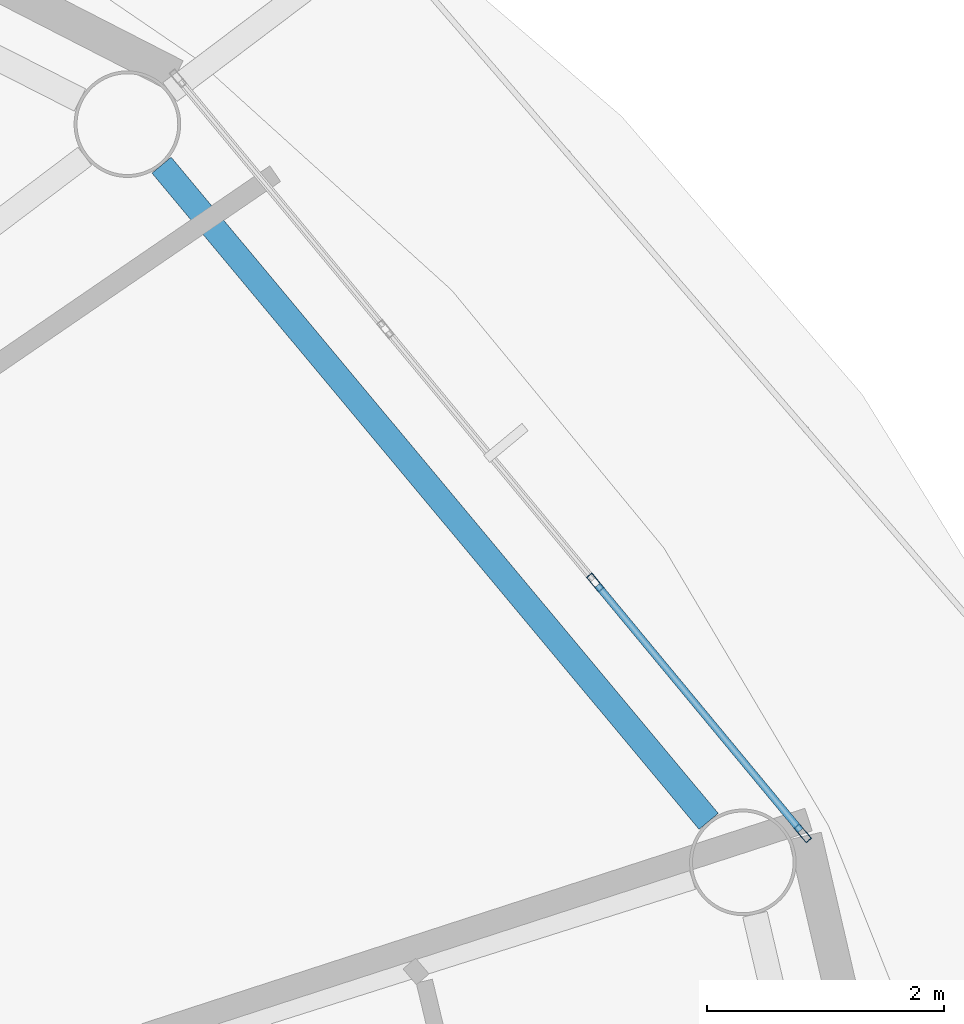
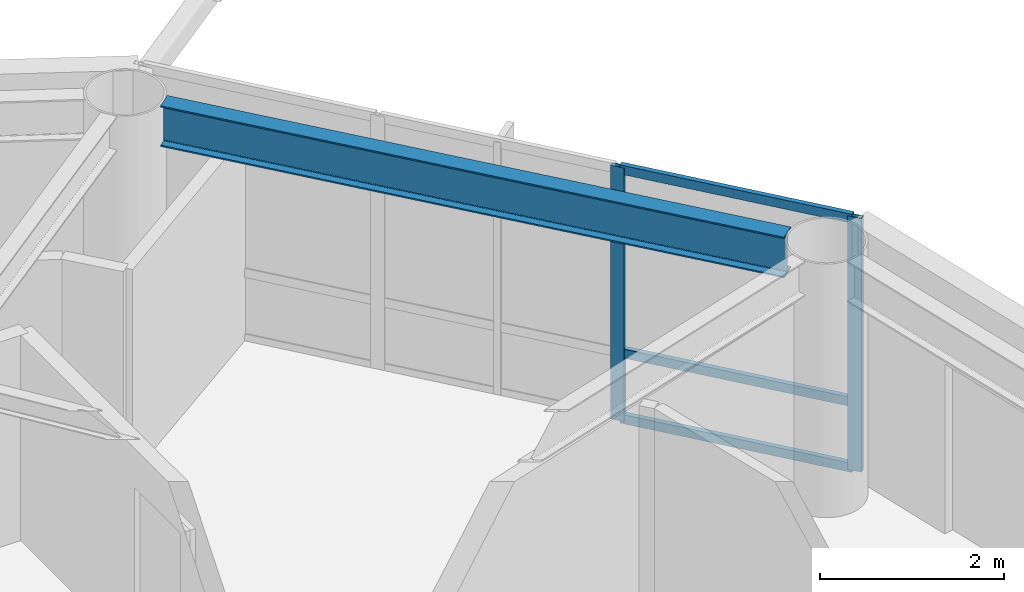
# One storey, part 7 of 23: 5 members, 1 beam, 1 element without a shape of its own.
"""IFC4 building model written with IfcOpenShell, lengths in metres."""

import ifcopenshell
import ifcopenshell.guid

model = None  # the IFC model being written
_history = None  # IfcOwnerHistory: only IFC2X3 demands one
_inside = {}  # id of a spatial element -> (the spatial element, [elements in it])
_under = {}  # id of a project, library or spatial element -> (it, [spatial elements below it])
_declared = {}  # id of a project -> (the project, [libraries it declares])
_typed = {}  # id of a type object -> (the type object, [elements of that type])
_made_of = {}  # id of a material, layer set ... -> (it, [elements and type objects made of it])


def new_model(schema):
    """Start an empty IFC model of exactly this schema.

    Asked for "IFC4X3", IfcOpenShell would pick the latest addendum, in which some entities
    have other attributes; the version numbers below select the first issue.
    IFC2X3 requires an IfcOwnerHistory on every rooted entity: one is made here for all.
    """
    global model, _history
    if schema == "IFC4X3":
        model = ifcopenshell.file(schema_version=(4, 3, 0, 0))
    else:
        model = ifcopenshell.file(schema=schema)
    _inside.clear()
    _under.clear()
    _declared.clear()
    _typed.clear()
    _made_of.clear()
    _history = None
    if model.schema == "IFC2X3":
        org = make("IfcOrganization", Name="unknown")
        user = make(
            "IfcPersonAndOrganization",
            ThePerson=make("IfcPerson", FamilyName="unknown"),
            TheOrganization=org,
        )
        app = make(
            "IfcApplication",
            ApplicationDeveloper=org,
            Version="unknown",
            ApplicationFullName="unknown",
            ApplicationIdentifier="unknown",
        )
        _history = make(
            "IfcOwnerHistory",
            OwningUser=user,
            OwningApplication=app,
            ChangeAction="ADDED",
            CreationDate=0,
        )
    return model


def make(cls, **values):
    """One entity of the class cls with the attributes given. An attribute that is None is left unset."""
    return model.create_entity(
        cls, **{name: value for name, value in values.items() if value is not None}
    )


def rooted(cls, **values):
    """An entity with a GlobalId (a new one), such as an element, a storey or a relation."""
    return make(cls, GlobalId=ifcopenshell.guid.new(), OwnerHistory=_history, **values)


def si_unit(unit_type, name, prefix=None):
    """IfcSIUnit, for example si_unit("LENGTHUNIT", "METRE", prefix="MILLI")."""
    return make("IfcSIUnit", UnitType=unit_type, Prefix=prefix, Name=name)


def assignment(units):
    """IfcUnitAssignment: the units of a project."""
    return None if units is None else make("IfcUnitAssignment", Units=units)


def point(xyz):
    """IfcCartesianPoint."""
    return None if xyz is None else make("IfcCartesianPoint", Coordinates=xyz)


def direction(xyz):
    """IfcDirection."""
    return None if xyz is None else make("IfcDirection", DirectionRatios=xyz)


def frame(location, z_axis=None, x_axis=None):
    """IfcAxis2Placement3D, a coordinate frame: its origin and axes. An axis left out is left unset."""
    return make(
        "IfcAxis2Placement3D",
        Location=point(location),
        Axis=direction(z_axis),
        RefDirection=direction(x_axis),
    )


def frame_2d(location, x_axis=None):
    """IfcAxis2Placement2D, a coordinate frame in the plane: its origin and x axis."""
    return make(
        "IfcAxis2Placement2D", Location=point(location), RefDirection=direction(x_axis)
    )


def origin():
    """The frame at (0, 0, 0) with its axes left unset."""
    return frame((0.0, 0.0, 0.0))


def origin_2d():
    """The frame at (0, 0) in the plane with its x axis left unset."""
    return frame_2d((0.0, 0.0))


def place(relative_to, where):
    """IfcLocalPlacement: puts the frame where relative to a parent placement (None: the world)."""
    return make(
        "IfcLocalPlacement", PlacementRelTo=relative_to, RelativePlacement=where
    )


def context(
    kind, dimensions, precision=None, world=None, true_north=None, identifier=None
):
    """IfcGeometricRepresentationContext, for example the 3D "Model" context."""
    return make(
        "IfcGeometricRepresentationContext",
        ContextIdentifier=identifier,
        ContextType=kind,
        CoordinateSpaceDimension=dimensions,
        Precision=precision,
        WorldCoordinateSystem=world,
        TrueNorth=true_north,
    )


def subcontext(parent, identifier, kind, view, scale=None):
    """IfcGeometricRepresentationSubContext, for example "Body" below "Model"."""
    return make(
        "IfcGeometricRepresentationSubContext",
        ContextIdentifier=identifier,
        ContextType=kind,
        ParentContext=parent,
        TargetScale=scale,
        TargetView=view,
    )


def project(units=None, contexts=None):
    """IfcProject with its units and contexts."""
    return rooted(
        "IfcProject",
        Name="project",
        RepresentationContexts=contexts,
        UnitsInContext=assignment(units),
    )


def spatial(cls, under=None, at=None, **own):
    """A site, building, storey or space (cls), placed at a placement, below another one or the project."""
    s = rooted(cls, ObjectPlacement=at, **own)
    if under is not None:
        _under.setdefault(under.id(), (under, []))[1].append(s)
    return s


def profile(cls, at=None, kind="AREA", **sizes):
    """A parametric profile (cls). Its sizes go by their IFC names, for example OverallWidth=200.0."""
    return make(cls, ProfileType=kind, Position=at, **sizes)


def hollow_rectangle(**sizes):
    """IfcRectangleHollowProfileDef."""
    return profile("IfcRectangleHollowProfileDef", **sizes)


def i_section(**sizes):
    """IfcIShapeProfileDef."""
    return profile("IfcIShapeProfileDef", **sizes)


def extrude(swept, where, along, depth):
    """IfcExtrudedAreaSolid: the profile swept, set in the frame where, extruded along a direction by depth."""
    return make(
        "IfcExtrudedAreaSolid",
        SweptArea=swept,
        Position=where,
        ExtrudedDirection=direction(along),
        Depth=depth,
    )


def shape(context_of_items, identifier, shape_type, items):
    """IfcShapeRepresentation: the items that make up one representation, for example the "Body"."""
    return make(
        "IfcShapeRepresentation",
        ContextOfItems=context_of_items,
        RepresentationIdentifier=identifier,
        RepresentationType=shape_type,
        Items=items,
    )


def material(Name=None, Category=None):
    """IfcMaterial."""
    return make("IfcMaterial", Name=Name, Category=Category)


def layer(
    of_material, thickness, ventilated=None, Name=None, Category=None, Priority=None
):
    """IfcMaterialLayer: one layer of a wall or slab, of a material (None: an air gap)."""
    return make(
        "IfcMaterialLayer",
        Material=of_material,
        LayerThickness=thickness,
        IsVentilated=ventilated,
        Name=Name,
        Category=Category,
        Priority=Priority,
    )


def layer_set(layers, Name=None):
    """IfcMaterialLayerSet."""
    return make("IfcMaterialLayerSet", MaterialLayers=layers, LayerSetName=Name)


def material_profile(
    of_material, cross_section, Name=None, Category=None, Priority=None
):
    """IfcMaterialProfile: a cross section and its material."""
    return make(
        "IfcMaterialProfile",
        Name=Name,
        Material=of_material,
        Profile=cross_section,
        Priority=Priority,
        Category=Category,
    )


def profile_set(profiles, Name=None, composite=None):
    """IfcMaterialProfileSet."""
    return make(
        "IfcMaterialProfileSet",
        Name=Name,
        MaterialProfiles=profiles,
        CompositeProfile=composite,
    )


def made_of(thing, what):
    """Note that an element or type object is made of a material, layer set ...; save() writes the relation."""
    if what is not None:
        _made_of.setdefault(what.id(), (what, []))[1].append(thing)
    return thing


def type_object(cls, material=None, **own):
    """A type object (cls), such as IfcWallType, which elements share."""
    return made_of(rooted(cls, **own), material)


def element(
    cls,
    number,
    at=None,
    inside=None,
    cuts=None,
    type_object=None,
    material=None,
    context=None,
    identifier="Body",
    shape_type=None,
    held_by="IfcProductDefinitionShape",
    body=None,
    shapes=None,
    **own,
):
    """One element of the class cls, such as IfcWall. Its Tag is "e" and its number.

    at: its placement. inside: the storey or other place that contains it. cuts: it is an
    opening in that element (IfcRelVoidsElement). A single representation is given by context,
    identifier, shape_type and body (its items); several are given by shapes. held_by: the class
    of the entity that holds the representations. save() writes the other relations.
    """
    e = rooted(cls, Tag="e%d" % number, ObjectPlacement=at, **own)
    if body is not None:
        shapes = [shape(context, identifier, shape_type, body)]
    if shapes is not None:
        e.Representation = make(held_by, Representations=shapes)
    if inside is not None:
        _inside.setdefault(inside.id(), (inside, []))[1].append(e)
    if cuts is not None:
        rooted(
            "IfcRelVoidsElement", RelatingBuildingElement=cuts, RelatedOpeningElement=e
        )
    if type_object is not None:
        _typed.setdefault(type_object.id(), (type_object, []))[1].append(e)
    return made_of(e, material)


def aggregate(whole, parts):
    """IfcRelAggregates: a whole, such as a stair, and the parts it consists of."""
    return rooted("IfcRelAggregates", RelatingObject=whole, RelatedObjects=parts)


def save(model, path):
    """Write the relations noted so far, then the file.

    IfcRelAggregates (storeys below a building ...), IfcRelContainedInSpatialStructure (elements
    in a storey), IfcRelDefinesByType, IfcRelAssociatesMaterial and IfcRelDeclares: one each for
    every whole, place, type object, material and project.
    """
    for whole, parts in _under.values():
        aggregate(whole, parts)
    for where, things in _inside.values():
        rooted(
            "IfcRelContainedInSpatialStructure",
            RelatedElements=things,
            RelatingStructure=where,
        )
    for kind, things in _typed.values():
        rooted("IfcRelDefinesByType", RelatedObjects=things, RelatingType=kind)
    for what, things in _made_of.values():
        rooted("IfcRelAssociatesMaterial", RelatedObjects=things, RelatingMaterial=what)
    for by, libraries in _declared.values():
        rooted("IfcRelDeclares", RelatingContext=by, RelatedDefinitions=libraries)
    model.write(path)


model = new_model("IFC4")

# Units and contexts
model_context = context("Model", 3, precision=1e-05, world=origin(), true_north=direction((0.0, 1.0)))
body_context = subcontext(model_context, "Body", "Model", "MODEL_VIEW")
ifc_project = project(units=[si_unit("LENGTHUNIT", "METRE"), si_unit("AREAUNIT", "SQUARE_METRE"), si_unit("VOLUMEUNIT", "CUBIC_METRE"), si_unit("PLANEANGLEUNIT", "RADIAN"), si_unit("MASSUNIT", "GRAM", prefix="KILO")], contexts=[model_context])

# Site, building, storey
site_placement = place(None, origin())
site = spatial("IfcSite", under=ifc_project, at=site_placement, CompositionType="ELEMENT")
building_placement = place(site_placement, origin())
building = spatial("IfcBuilding", under=site, at=building_placement, Name="Sarneth Arch Tower", CompositionType="ELEMENT")
storey_placement = place(building_placement, frame((0.0, 0.0, 220.800048828125)))
storey = spatial("IfcBuildingStorey", under=building, at=storey_placement, Name="L56", CompositionType="ELEMENT", Elevation=220.800048828125)

# Beam
ifc_material_1 = material(Name="Steel S355", Category="steel")
ifc_material_profile_1 = material_profile(ifc_material_1, i_section(OverallWidth=0.2109375, OverallDepth=0.5390625, WebThickness=0.01171875, FlangeThickness=0.018798828125, FilletRadius=0.01806640625, at=origin_2d()), Name="W530x109")
ifc_profile_set_1 = profile_set([ifc_material_profile_1], Name="Steel S355")
beam_type = type_object("IfcBeamType", Name="BM-RAD-530B", PredefinedType="BEAM", material=ifc_profile_set_1)
beam_placement = place(storey_placement, frame((70.880615234375, 49.693115234375, 3.09033203125), z_axis=(-0.640390876881, 0.768049168222, 0.0), x_axis=(-0.768049168222, -0.640390876881, 0.0)))
element("IfcBeam", 1, at=beam_placement, inside=storey, type_object=beam_type, Name="L56 Perimeter spandrel beam 02", PredefinedType="BEAM", context=body_context, shape_type="SweptSolid", body=[
    extrude(i_section(OverallWidth=0.2109375, OverallDepth=0.5390625, WebThickness=0.01171875, FlangeThickness=0.018798828125, FilletRadius=0.01806640625, at=origin_2d()), origin(), (0.0, 0.0, 1.0), 7.2099609375),
])

# Curtain wall, members
ifc_material_2 = material(Name="Anodised aluminium Type AA25 and solar-control low-e laminated IGU", Category="aluminium")
ifc_layer = layer(ifc_material_2, 0.179931640625)
ifc_layer_set = layer_set([ifc_layer], Name="Anodised aluminium Type AA25 and solar-control low-e laminated IGU")
curtain_wall_type = type_object("IfcCurtainWallType", Name="CW-RES-HIGH", PredefinedType="NOTDEFINED", material=ifc_layer_set)
curtain_wall_placement = place(storey_placement, origin())
curtain_wall = element("IfcCurtainWall", 2, at=curtain_wall_placement, inside=storey, type_object=curtain_wall_type, Name="L56 Unitised curtain wall facet 02", PredefinedType="NOTDEFINED")
ifc_material_3 = material(Name="Anodised Aluminium 6063-T6", Category="aluminium")
ifc_material_profile_2 = material_profile(ifc_material_3, hollow_rectangle(XDim=0.06005859375, YDim=0.159912109375, WallThickness=0.00390625, at=origin_2d()), Name="AL-MULL-160x60x4")
ifc_profile_set_2 = profile_set([ifc_material_profile_2], Name="Anodised Aluminium 6063-T6")
member_type_1 = type_object("IfcMemberType", Name="CW-MULLION", PredefinedType="MULLION", material=ifc_profile_set_2)
member_1_placement = place(storey_placement, frame((71.674560546875, 49.592529296875, 0.0), z_axis=(0.0, 0.0, 1.0), x_axis=(-0.770359245933, -0.637610094184, 0.0)))
member_1 = element("IfcMember", 3, at=member_1_placement, type_object=member_type_1, Name="CW-SYS-6 mullion 1", PredefinedType="MULLION", context=body_context, shape_type="SweptSolid", body=[
    extrude(hollow_rectangle(XDim=0.06005859375, YDim=0.159912109375, WallThickness=0.00390625, at=origin_2d()), origin(), (0.0, 0.0, 1.0), 3.35986328125),
])
member_2_placement = place(storey_placement, frame((69.92333984375, 51.70849609375, 0.0), z_axis=(0.0, 0.0, 1.0), x_axis=(-0.770359245933, -0.637610094184, 0.0)))
member_2 = element("IfcMember", 4, at=member_2_placement, type_object=member_type_1, Name="CW-SYS-6 mullion 2", PredefinedType="MULLION", context=body_context, shape_type="SweptSolid", body=[
    extrude(hollow_rectangle(XDim=0.06005859375, YDim=0.159912109375, WallThickness=0.00390625, at=origin_2d()), origin(), (0.0, 0.0, 1.0), 3.35986328125),
])
ifc_material_4 = material(Name="Anodised Aluminium 6063-T6", Category="aluminium")
ifc_material_profile_3 = material_profile(ifc_material_4, hollow_rectangle(XDim=0.06005859375, YDim=0.1201171875, WallThickness=0.00390625, at=origin_2d()), Name="AL-TRAN-120x60x4")
ifc_profile_set_3 = profile_set([ifc_material_profile_3], Name="Anodised Aluminium 6063-T6")
member_type_2 = type_object("IfcMemberType", Name="CW-TRANSOM", PredefinedType="USERDEFINED", material=ifc_profile_set_3)
member_3_placement = place(storey_placement, frame((71.655517578125, 49.61572265625, 0.030029296875), z_axis=(-0.637651400067, 0.770325056059, 0.0), x_axis=(-0.770325056059, -0.637651400067, 0.0)))
member_3 = element("IfcMember", 5, at=member_3_placement, type_object=member_type_2, Name="CW-SYS-6 transom 1.1", ObjectType="TRANSOM", PredefinedType="USERDEFINED", context=body_context, shape_type="SweptSolid", body=[
    extrude(hollow_rectangle(XDim=0.06005859375, YDim=0.1201171875, WallThickness=0.00390625, at=origin_2d()), origin(), (0.0, 0.0, 1.0), 2.6865234375),
])
member_4_placement = place(storey_placement, frame((71.655517578125, 49.61572265625, 0.89990234375), z_axis=(-0.637651400067, 0.770325056059, 0.0), x_axis=(-0.770325056059, -0.637651400067, 0.0)))
member_4 = element("IfcMember", 6, at=member_4_placement, type_object=member_type_2, Name="CW-SYS-6 transom 1.2", ObjectType="TRANSOM", PredefinedType="USERDEFINED", context=body_context, shape_type="SweptSolid", body=[
    extrude(hollow_rectangle(XDim=0.06005859375, YDim=0.1201171875, WallThickness=0.00390625, at=origin_2d()), origin(), (0.0, 0.0, 1.0), 2.6865234375),
])
member_5_placement = place(storey_placement, frame((71.655517578125, 49.61572265625, 3.329833984375), z_axis=(-0.637651400067, 0.770325056059, 0.0), x_axis=(-0.770325056059, -0.637651400067, 0.0)))
member_5 = element("IfcMember", 7, at=member_5_placement, type_object=member_type_2, Name="CW-SYS-6 transom 1.3", ObjectType="TRANSOM", PredefinedType="USERDEFINED", context=body_context, shape_type="SweptSolid", body=[
    extrude(hollow_rectangle(XDim=0.06005859375, YDim=0.1201171875, WallThickness=0.00390625, at=origin_2d()), origin(), (0.0, 0.0, 1.0), 2.6865234375),
])
aggregate(curtain_wall, [member_1, member_2, member_3, member_4, member_5])

save(model, "model.ifc")
